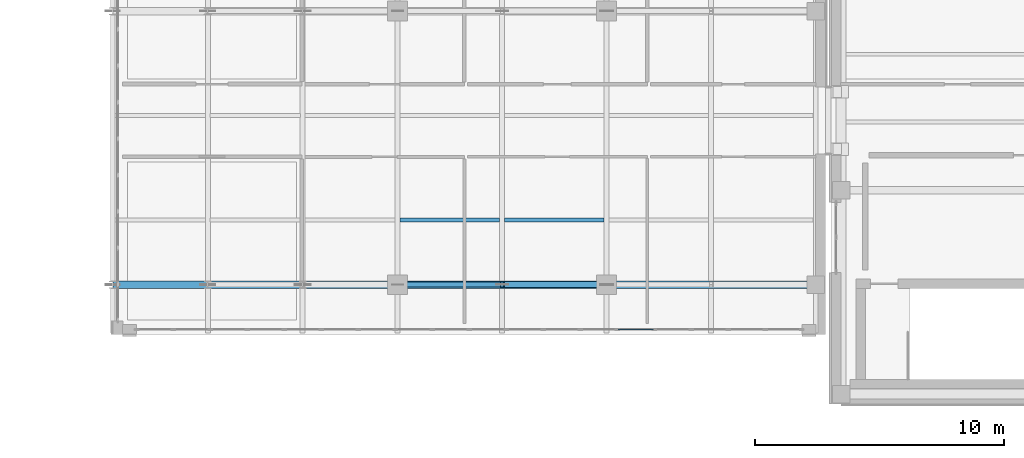
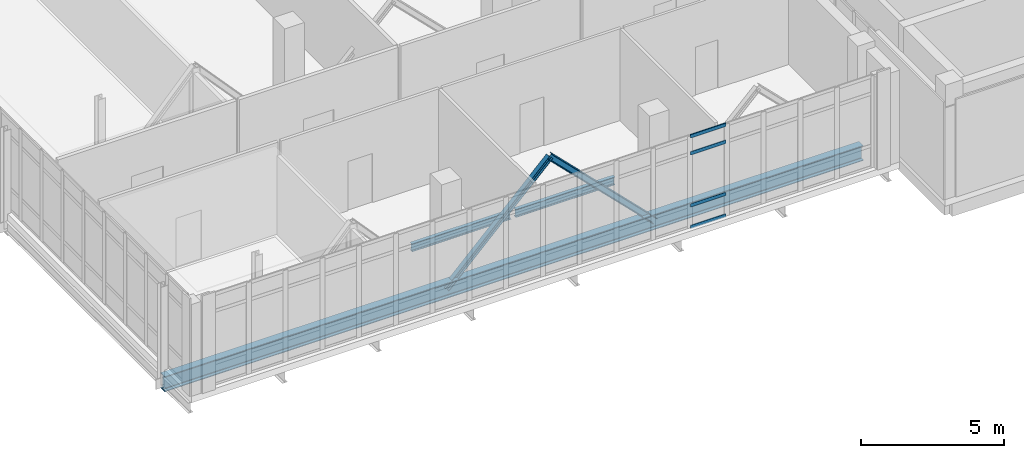
# One storey, part 6 of 158: 6 members, 3 beams, 1 element without a shape of its own.
"""IFC4 building model written with IfcOpenShell, lengths in metres."""

from ifc_helpers import new_model, si_unit, direction, frame, origin, origin_2d, place, context, subcontext, project, spatial, hollow_rectangle, i_section, extrude, material, layer, layer_set, material_profile, profile_set, type_object, element, aggregate, save


model = new_model("IFC4")

# Units and contexts
model_context = context("Model", 3, precision=1e-05, world=origin(), true_north=direction((0.0, 1.0)))
body_context = subcontext(model_context, "Body", "Model", "MODEL_VIEW")
ifc_project = project(units=[si_unit("LENGTHUNIT", "METRE"), si_unit("AREAUNIT", "SQUARE_METRE"), si_unit("VOLUMEUNIT", "CUBIC_METRE"), si_unit("PLANEANGLEUNIT", "RADIAN"), si_unit("MASSUNIT", "GRAM", prefix="KILO")], contexts=[model_context])

# Site, building, storey
site_placement = place(None, origin())
site = spatial("IfcSite", under=ifc_project, at=site_placement, CompositionType="ELEMENT")
building_placement = place(site_placement, origin())
building = spatial("IfcBuilding", under=site, at=building_placement, Name="Qalavern Law Courts", CompositionType="ELEMENT")
storey_placement = place(building_placement, frame((0.0, 0.0, 18.60009765625)))
storey = spatial("IfcBuildingStorey", under=building, at=storey_placement, Name="L04", CompositionType="ELEMENT", Elevation=18.60009765625)

# Curtain wall, members
ifc_material_1 = material(Name="Anodised aluminium and insulated glazing", Category="aluminium")
ifc_layer = layer(ifc_material_1, 0.199951171875)
ifc_layer_set = layer_set([ifc_layer], Name="Anodised aluminium and insulated glazing")
curtain_wall_type = type_object("IfcCurtainWallType", Name="ENV-CW-FOYER", PredefinedType="USERDEFINED", material=ifc_layer_set)
curtain_wall_placement = place(storey_placement, origin())
curtain_wall = element("IfcCurtainWall", 1, at=curtain_wall_placement, inside=storey, type_object=curtain_wall_type, Name="V1 unitised curtain wall L04 south 1", ObjectType="UNITISED CURTAIN WALL", PredefinedType="USERDEFINED")
ifc_material_2 = material(Name="Anodised aluminium", Category="aluminium")
ifc_material_profile_1 = material_profile(ifc_material_2, hollow_rectangle(XDim=0.048095703125, YDim=0.139892578125, WallThickness=0.00390625, at=origin_2d()), Name="ALU TRANSOM 48x140")
ifc_profile_set_1 = profile_set([ifc_material_profile_1], Name="Anodised aluminium")
member_type_1 = type_object("IfcMemberType", Name="ENV-CWT-48x140", PredefinedType="USERDEFINED", material=ifc_profile_set_1)
member_1_placement = place(storey_placement, frame((25.645751953125, 8.199951171875, 0.02392578125), z_axis=(1.0, 0.0, 0.0), x_axis=(0.0, 1.0, 0.0)))
member_1 = element("IfcMember", 2, at=member_1_placement, type_object=member_type_1, Name="CW-01 transom 14.1", ObjectType="TRANSOM", PredefinedType="USERDEFINED", context=body_context, shape_type="SweptSolid", body=[
    extrude(hollow_rectangle(XDim=0.048095703125, YDim=0.139892578125, WallThickness=0.00390625, at=origin_2d()), origin(), (0.0, 0.0, 1.0), 1.4384765625),
])
member_2_placement = place(storey_placement, frame((25.645751953125, 8.199951171875, 0.949951171875), z_axis=(1.0, 0.0, 0.0), x_axis=(0.0, 1.0, 0.0)))
member_2 = element("IfcMember", 3, at=member_2_placement, type_object=member_type_1, Name="CW-01 transom 14.2", ObjectType="TRANSOM", PredefinedType="USERDEFINED", context=body_context, shape_type="SweptSolid", body=[
    extrude(hollow_rectangle(XDim=0.048095703125, YDim=0.139892578125, WallThickness=0.00390625, at=origin_2d()), origin(), (0.0, 0.0, 1.0), 1.4384765625),
])
member_3_placement = place(storey_placement, frame((25.645751953125, 8.199951171875, 3.1748046875), z_axis=(1.0, 0.0, 0.0), x_axis=(0.0, 1.0, 0.0)))
member_3 = element("IfcMember", 4, at=member_3_placement, type_object=member_type_1, Name="CW-01 transom 14.3", ObjectType="TRANSOM", PredefinedType="USERDEFINED", context=body_context, shape_type="SweptSolid", body=[
    extrude(hollow_rectangle(XDim=0.048095703125, YDim=0.139892578125, WallThickness=0.00390625, at=origin_2d()), origin(), (0.0, 0.0, 1.0), 1.4384765625),
])
member_4_placement = place(storey_placement, frame((25.645751953125, 8.199951171875, 3.90087890625), z_axis=(1.0, 0.0, 0.0), x_axis=(0.0, 1.0, 0.0)))
member_4 = element("IfcMember", 5, at=member_4_placement, type_object=member_type_1, Name="CW-01 transom 14.4", ObjectType="TRANSOM", PredefinedType="USERDEFINED", context=body_context, shape_type="SweptSolid", body=[
    extrude(hollow_rectangle(XDim=0.048095703125, YDim=0.139892578125, WallThickness=0.00390625, at=origin_2d()), origin(), (0.0, 0.0, 1.0), 1.4384765625),
])
aggregate(curtain_wall, [member_1, member_2, member_3, member_4])

# Members
ifc_material_3 = material(Name="Steel S355", Category="steel")
ifc_material_profile_2 = material_profile(ifc_material_3, i_section(OverallWidth=0.199951171875, OverallDepth=0.199951171875, WebThickness=0.009033203125, FlangeThickness=0.014892578125, FilletRadius=0.01806640625, at=origin_2d()), Name="HEB 200")
ifc_profile_set_2 = profile_set([ifc_material_profile_2], Name="Steel S355")
member_type_2 = type_object("IfcMemberType", Name="STR-BR-HEB200", PredefinedType="BRACE", material=ifc_profile_set_2)
member_5_placement = place(storey_placement, frame((21.0, 10.0, 3.578857421875), z_axis=(-0.708464501441, 0.0, -0.705746448945), x_axis=(0.0, -1.0, 0.0)))
element("IfcMember", 6, at=member_5_placement, inside=storey, type_object=member_type_2, Name="Cantilever truss T1 diagonal L04-4", PredefinedType="BRACE", context=body_context, shape_type="SweptSolid", body=[
    extrude(i_section(OverallWidth=0.199951171875, OverallDepth=0.199951171875, WebThickness=0.009033203125, FlangeThickness=0.014892578125, FilletRadius=0.01806640625, at=origin_2d()), origin(), (0.0, 0.0, 1.0), 5.92822265625),
])
ifc_material_profile_3 = material_profile(ifc_material_3, i_section(OverallWidth=0.239990234375, OverallDepth=0.239990234375, WebThickness=0.010009765625, FlangeThickness=0.01708984375, FilletRadius=0.02099609375, at=origin_2d()), Name="HEB 240")
ifc_profile_set_3 = profile_set([ifc_material_profile_3], Name="Steel S355")
member_type_3 = type_object("IfcMemberType", Name="STR-BR-HEB240", PredefinedType="BRACE", material=ifc_profile_set_3)
member_6_placement = place(storey_placement, frame((25.199951171875, 10.0, -0.60498046875), z_axis=(-0.708464501441, 0.0, 0.705746448945), x_axis=(0.0, -1.0, 0.0)))
element("IfcMember", 7, at=member_6_placement, inside=storey, type_object=member_type_3, Name="Cantilever truss T1 diagonal L04-3", PredefinedType="BRACE", context=body_context, shape_type="SweptSolid", body=[
    extrude(i_section(OverallWidth=0.239990234375, OverallDepth=0.239990234375, WebThickness=0.010009765625, FlangeThickness=0.01708984375, FilletRadius=0.02099609375, at=origin_2d()), origin(), (0.0, 0.0, 1.0), 5.92822265625),
])

# Beams
ifc_material_profile_4 = material_profile(ifc_material_3, i_section(OverallWidth=0.159912109375, OverallDepth=0.330078125, WebThickness=0.007568359375, FlangeThickness=0.011474609375, FilletRadius=0.01806640625, at=origin_2d()), Name="IPE 330")
ifc_profile_set_4 = profile_set([ifc_material_profile_4], Name="Steel S355")
beam_type_1 = type_object("IfcBeamType", Name="STR-JST-IPE330", PredefinedType="JOIST", material=ifc_profile_set_4)
for number, where, z_axis, x_axis, name in (
    (8, (21.097900390625, 12.60009765625, -0.445068359375), (1.0, 0.0, 0.0), (0.0, 1.0, 0.0), "Foyer floor joist L04-3.1"),
    (9, (16.89794921875, 12.60009765625, -0.445068359375), (1.0, 0.0, 0.0), (0.0, 1.0, 0.0), "Foyer floor joist L04-4.1"),
):
    element("IfcBeam", number, at=place(storey_placement, frame(where, z_axis=z_axis, x_axis=x_axis)), inside=storey, type_object=beam_type_1, Name=name, PredefinedType="JOIST", context=body_context, shape_type="SweptSolid", body=[
        extrude(i_section(OverallWidth=0.159912109375, OverallDepth=0.330078125, WebThickness=0.007568359375, FlangeThickness=0.011474609375, FilletRadius=0.01806640625, at=origin_2d()), origin(), (0.0, 0.0, 1.0), 4.004150390625),
    ])
ifc_material_profile_5 = material_profile(ifc_material_3, i_section(OverallWidth=0.300048828125, OverallDepth=0.64990234375, WebThickness=0.01611328125, FlangeThickness=0.031005859375, FilletRadius=0.027099609375, at=origin_2d()), Name="HEB 650")
ifc_profile_set_5 = profile_set([ifc_material_profile_5], Name="Steel S355")
beam_type_2 = type_object("IfcBeamType", Name="STR-TC-HEB650", PredefinedType="BEAM", material=ifc_profile_set_5)
beam_placement = place(storey_placement, frame((33.60009765625, 10.0, -0.60498046875), z_axis=(-1.0, 0.0, 0.0), x_axis=(0.0, -1.0, 0.0)))
element("IfcBeam", 10, at=beam_placement, inside=storey, type_object=beam_type_2, Name="Cantilever foyer truss T1 continuous chord L04", PredefinedType="BEAM", context=body_context, shape_type="SweptSolid", body=[
    extrude(i_section(OverallWidth=0.300048828125, OverallDepth=0.64990234375, WebThickness=0.01611328125, FlangeThickness=0.031005859375, FilletRadius=0.027099609375, at=origin_2d()), origin(), (0.0, 0.0, 1.0), 28.25),
])

save(model, "model.ifc")
